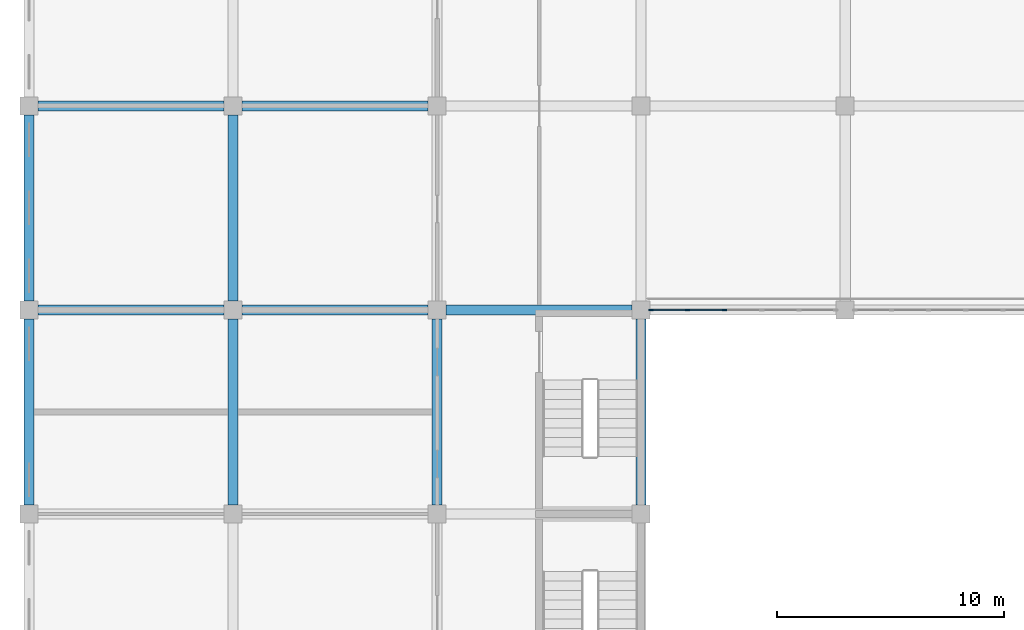
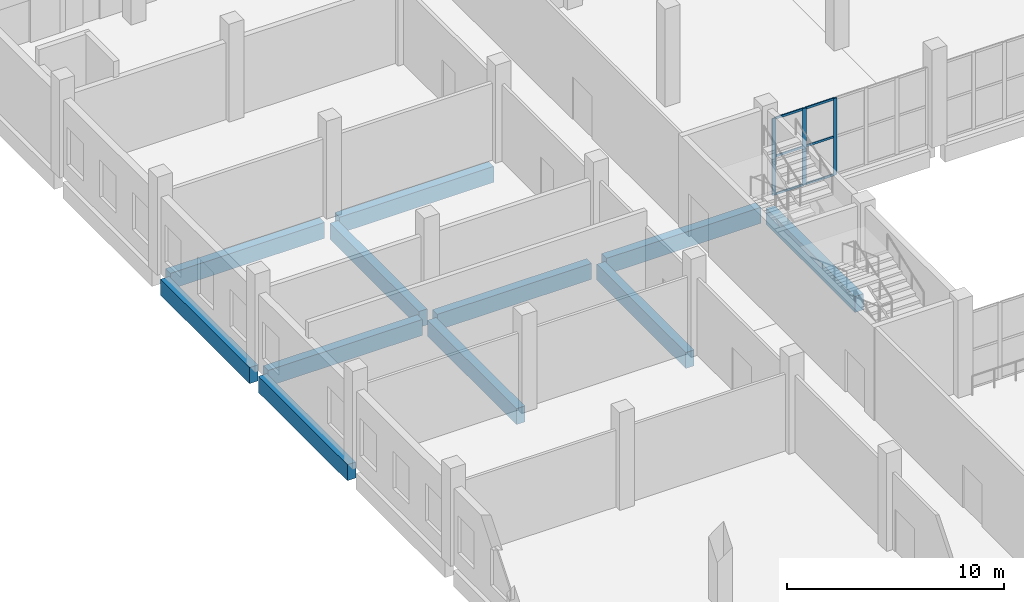
# One storey, part 21 of 185: 11 beams, 9 members, 1 element without a shape of its own.
"""IFC4 building model written with IfcOpenShell, lengths in metres."""

import ifcopenshell
import ifcopenshell.guid

model = None  # the IFC model being written
_history = None  # IfcOwnerHistory: only IFC2X3 demands one
_inside = {}  # id of a spatial element -> (the spatial element, [elements in it])
_under = {}  # id of a project, library or spatial element -> (it, [spatial elements below it])
_declared = {}  # id of a project -> (the project, [libraries it declares])
_typed = {}  # id of a type object -> (the type object, [elements of that type])
_made_of = {}  # id of a material, layer set ... -> (it, [elements and type objects made of it])


def new_model(schema):
    """Start an empty IFC model of exactly this schema.

    Asked for "IFC4X3", IfcOpenShell would pick the latest addendum, in which some entities
    have other attributes; the version numbers below select the first issue.
    IFC2X3 requires an IfcOwnerHistory on every rooted entity: one is made here for all.
    """
    global model, _history
    if schema == "IFC4X3":
        model = ifcopenshell.file(schema_version=(4, 3, 0, 0))
    else:
        model = ifcopenshell.file(schema=schema)
    _inside.clear()
    _under.clear()
    _declared.clear()
    _typed.clear()
    _made_of.clear()
    _history = None
    if model.schema == "IFC2X3":
        org = make("IfcOrganization", Name="unknown")
        user = make(
            "IfcPersonAndOrganization",
            ThePerson=make("IfcPerson", FamilyName="unknown"),
            TheOrganization=org,
        )
        app = make(
            "IfcApplication",
            ApplicationDeveloper=org,
            Version="unknown",
            ApplicationFullName="unknown",
            ApplicationIdentifier="unknown",
        )
        _history = make(
            "IfcOwnerHistory",
            OwningUser=user,
            OwningApplication=app,
            ChangeAction="ADDED",
            CreationDate=0,
        )
    return model


def make(cls, **values):
    """One entity of the class cls with the attributes given. An attribute that is None is left unset."""
    return model.create_entity(
        cls, **{name: value for name, value in values.items() if value is not None}
    )


def rooted(cls, **values):
    """An entity with a GlobalId (a new one), such as an element, a storey or a relation."""
    return make(cls, GlobalId=ifcopenshell.guid.new(), OwnerHistory=_history, **values)


def si_unit(unit_type, name, prefix=None):
    """IfcSIUnit, for example si_unit("LENGTHUNIT", "METRE", prefix="MILLI")."""
    return make("IfcSIUnit", UnitType=unit_type, Prefix=prefix, Name=name)


def assignment(units):
    """IfcUnitAssignment: the units of a project."""
    return None if units is None else make("IfcUnitAssignment", Units=units)


def point(xyz):
    """IfcCartesianPoint."""
    return None if xyz is None else make("IfcCartesianPoint", Coordinates=xyz)


def direction(xyz):
    """IfcDirection."""
    return None if xyz is None else make("IfcDirection", DirectionRatios=xyz)


def frame(location, z_axis=None, x_axis=None):
    """IfcAxis2Placement3D, a coordinate frame: its origin and axes. An axis left out is left unset."""
    return make(
        "IfcAxis2Placement3D",
        Location=point(location),
        Axis=direction(z_axis),
        RefDirection=direction(x_axis),
    )


def frame_2d(location, x_axis=None):
    """IfcAxis2Placement2D, a coordinate frame in the plane: its origin and x axis."""
    return make(
        "IfcAxis2Placement2D", Location=point(location), RefDirection=direction(x_axis)
    )


def origin():
    """The frame at (0, 0, 0) with its axes left unset."""
    return frame((0.0, 0.0, 0.0))


def origin_2d():
    """The frame at (0, 0) in the plane with its x axis left unset."""
    return frame_2d((0.0, 0.0))


def place(relative_to, where):
    """IfcLocalPlacement: puts the frame where relative to a parent placement (None: the world)."""
    return make(
        "IfcLocalPlacement", PlacementRelTo=relative_to, RelativePlacement=where
    )


def context(
    kind, dimensions, precision=None, world=None, true_north=None, identifier=None
):
    """IfcGeometricRepresentationContext, for example the 3D "Model" context."""
    return make(
        "IfcGeometricRepresentationContext",
        ContextIdentifier=identifier,
        ContextType=kind,
        CoordinateSpaceDimension=dimensions,
        Precision=precision,
        WorldCoordinateSystem=world,
        TrueNorth=true_north,
    )


def subcontext(parent, identifier, kind, view, scale=None):
    """IfcGeometricRepresentationSubContext, for example "Body" below "Model"."""
    return make(
        "IfcGeometricRepresentationSubContext",
        ContextIdentifier=identifier,
        ContextType=kind,
        ParentContext=parent,
        TargetScale=scale,
        TargetView=view,
    )


def project(units=None, contexts=None):
    """IfcProject with its units and contexts."""
    return rooted(
        "IfcProject",
        Name="project",
        RepresentationContexts=contexts,
        UnitsInContext=assignment(units),
    )


def spatial(cls, under=None, at=None, **own):
    """A site, building, storey or space (cls), placed at a placement, below another one or the project."""
    s = rooted(cls, ObjectPlacement=at, **own)
    if under is not None:
        _under.setdefault(under.id(), (under, []))[1].append(s)
    return s


def profile(cls, at=None, kind="AREA", **sizes):
    """A parametric profile (cls). Its sizes go by their IFC names, for example OverallWidth=200.0."""
    return make(cls, ProfileType=kind, Position=at, **sizes)


def rectangle(**sizes):
    """IfcRectangleProfileDef."""
    return profile("IfcRectangleProfileDef", **sizes)


def extrude(swept, where, along, depth):
    """IfcExtrudedAreaSolid: the profile swept, set in the frame where, extruded along a direction by depth."""
    return make(
        "IfcExtrudedAreaSolid",
        SweptArea=swept,
        Position=where,
        ExtrudedDirection=direction(along),
        Depth=depth,
    )


def shape(context_of_items, identifier, shape_type, items):
    """IfcShapeRepresentation: the items that make up one representation, for example the "Body"."""
    return make(
        "IfcShapeRepresentation",
        ContextOfItems=context_of_items,
        RepresentationIdentifier=identifier,
        RepresentationType=shape_type,
        Items=items,
    )


def material(Name=None, Category=None):
    """IfcMaterial."""
    return make("IfcMaterial", Name=Name, Category=Category)


def layer(
    of_material, thickness, ventilated=None, Name=None, Category=None, Priority=None
):
    """IfcMaterialLayer: one layer of a wall or slab, of a material (None: an air gap)."""
    return make(
        "IfcMaterialLayer",
        Material=of_material,
        LayerThickness=thickness,
        IsVentilated=ventilated,
        Name=Name,
        Category=Category,
        Priority=Priority,
    )


def layer_set(layers, Name=None):
    """IfcMaterialLayerSet."""
    return make("IfcMaterialLayerSet", MaterialLayers=layers, LayerSetName=Name)


def material_profile(
    of_material, cross_section, Name=None, Category=None, Priority=None
):
    """IfcMaterialProfile: a cross section and its material."""
    return make(
        "IfcMaterialProfile",
        Name=Name,
        Material=of_material,
        Profile=cross_section,
        Priority=Priority,
        Category=Category,
    )


def profile_set(profiles, Name=None, composite=None):
    """IfcMaterialProfileSet."""
    return make(
        "IfcMaterialProfileSet",
        Name=Name,
        MaterialProfiles=profiles,
        CompositeProfile=composite,
    )


def made_of(thing, what):
    """Note that an element or type object is made of a material, layer set ...; save() writes the relation."""
    if what is not None:
        _made_of.setdefault(what.id(), (what, []))[1].append(thing)
    return thing


def type_object(cls, material=None, **own):
    """A type object (cls), such as IfcWallType, which elements share."""
    return made_of(rooted(cls, **own), material)


def element(
    cls,
    number,
    at=None,
    inside=None,
    cuts=None,
    type_object=None,
    material=None,
    context=None,
    identifier="Body",
    shape_type=None,
    held_by="IfcProductDefinitionShape",
    body=None,
    shapes=None,
    **own,
):
    """One element of the class cls, such as IfcWall. Its Tag is "e" and its number.

    at: its placement. inside: the storey or other place that contains it. cuts: it is an
    opening in that element (IfcRelVoidsElement). A single representation is given by context,
    identifier, shape_type and body (its items); several are given by shapes. held_by: the class
    of the entity that holds the representations. save() writes the other relations.
    """
    e = rooted(cls, Tag="e%d" % number, ObjectPlacement=at, **own)
    if body is not None:
        shapes = [shape(context, identifier, shape_type, body)]
    if shapes is not None:
        e.Representation = make(held_by, Representations=shapes)
    if inside is not None:
        _inside.setdefault(inside.id(), (inside, []))[1].append(e)
    if cuts is not None:
        rooted(
            "IfcRelVoidsElement", RelatingBuildingElement=cuts, RelatedOpeningElement=e
        )
    if type_object is not None:
        _typed.setdefault(type_object.id(), (type_object, []))[1].append(e)
    return made_of(e, material)


def aggregate(whole, parts):
    """IfcRelAggregates: a whole, such as a stair, and the parts it consists of."""
    return rooted("IfcRelAggregates", RelatingObject=whole, RelatedObjects=parts)


def save(model, path):
    """Write the relations noted so far, then the file.

    IfcRelAggregates (storeys below a building ...), IfcRelContainedInSpatialStructure (elements
    in a storey), IfcRelDefinesByType, IfcRelAssociatesMaterial and IfcRelDeclares: one each for
    every whole, place, type object, material and project.
    """
    for whole, parts in _under.values():
        aggregate(whole, parts)
    for where, things in _inside.values():
        rooted(
            "IfcRelContainedInSpatialStructure",
            RelatedElements=things,
            RelatingStructure=where,
        )
    for kind, things in _typed.values():
        rooted("IfcRelDefinesByType", RelatedObjects=things, RelatingType=kind)
    for what, things in _made_of.values():
        rooted("IfcRelAssociatesMaterial", RelatedObjects=things, RelatingMaterial=what)
    for by, libraries in _declared.values():
        rooted("IfcRelDeclares", RelatingContext=by, RelatedDefinitions=libraries)
    model.write(path)


model = new_model("IFC4")

# Units and contexts
model_context = context("Model", 3, precision=1e-05, world=origin(), true_north=direction((0.0, 1.0)))
body_context = subcontext(model_context, "Body", "Model", "MODEL_VIEW")
ifc_project = project(units=[si_unit("LENGTHUNIT", "METRE"), si_unit("AREAUNIT", "SQUARE_METRE"), si_unit("VOLUMEUNIT", "CUBIC_METRE"), si_unit("PLANEANGLEUNIT", "RADIAN"), si_unit("MASSUNIT", "GRAM", prefix="KILO")], contexts=[model_context])

# Site, building, storey
site_placement = place(None, origin())
site = spatial("IfcSite", under=ifc_project, at=site_placement, CompositionType="ELEMENT")
building_placement = place(site_placement, origin())
building = spatial("IfcBuilding", under=site, at=building_placement, Name="Opaline Strait Convention Centre", CompositionType="ELEMENT")
storey_placement = place(building_placement, frame((0.0, 0.0, 6.0)))
storey = spatial("IfcBuildingStorey", under=building, at=storey_placement, Name="L01", CompositionType="ELEMENT", Elevation=6.0)

# Curtain wall, members
ifc_material_1 = material(Name="Aluminium framed double glazing", Category="aluminium")
ifc_layer = layer(ifc_material_1, 0.199951171875)
ifc_layer_set = layer_set([ifc_layer], Name="Aluminium framed double glazing")
curtain_wall_type = type_object("IfcCurtainWallType", Name="Curtain wall 1500 module", PredefinedType="NOTDEFINED", material=ifc_layer_set)
curtain_wall_placement = place(storey_placement, origin())
curtain_wall = element("IfcCurtainWall", 1, at=curtain_wall_placement, inside=storey, type_object=curtain_wall_type, Name="L01 court glazing Nc 1", PredefinedType="NOTDEFINED")
ifc_material_2 = material(Name="Aluminium alloy 6063", Category="aluminium")
ifc_material_profile_1 = material_profile(ifc_material_2, rectangle(XDim=0.06005859375, YDim=0.199951171875, at=origin_2d()), Name="Curtain wall mullion 60x200")
ifc_profile_set_1 = profile_set([ifc_material_profile_1], Name="Aluminium alloy 6063")
member_type_1 = type_object("IfcMemberType", Name="Curtain wall mullion 60x200", PredefinedType="MULLION", material=ifc_profile_set_1)
member_1_placement = place(storey_placement, frame((36.429931640625, 63.0, 0.0), z_axis=(0.0, 0.0, 1.0), x_axis=(0.0, 1.0, 0.0)))
member_1 = element("IfcMember", 2, at=member_1_placement, type_object=member_type_1, Name="RCW1 mullion 1", PredefinedType="MULLION", context=body_context, shape_type="SweptSolid", body=[
    extrude(rectangle(XDim=0.06005859375, YDim=0.199951171875, at=origin_2d()), origin(), (0.0, 0.0, 1.0), 4.320068359375),
])
member_2_placement = place(storey_placement, frame((38.0400390625, 63.0, 0.0), z_axis=(0.0, 0.0, 1.0), x_axis=(0.0, 1.0, 0.0)))
member_2 = element("IfcMember", 3, at=member_2_placement, type_object=member_type_1, Name="RCW1 mullion 2", PredefinedType="MULLION", context=body_context, shape_type="SweptSolid", body=[
    extrude(rectangle(XDim=0.06005859375, YDim=0.199951171875, at=origin_2d()), origin(), (0.0, 0.0, 1.0), 4.320068359375),
])
member_3_placement = place(storey_placement, frame((39.679931640625, 63.0, 0.0), z_axis=(0.0, 0.0, 1.0), x_axis=(0.0, 1.0, 0.0)))
member_3 = element("IfcMember", 4, at=member_3_placement, type_object=member_type_1, Name="RCW1 mullion 3", PredefinedType="MULLION", context=body_context, shape_type="SweptSolid", body=[
    extrude(rectangle(XDim=0.06005859375, YDim=0.199951171875, at=origin_2d()), origin(), (0.0, 0.0, 1.0), 4.320068359375),
])
ifc_material_profile_2 = material_profile(ifc_material_2, rectangle(XDim=0.06005859375, YDim=0.1201171875, at=origin_2d()), Name="Curtain wall transom 60x120")
ifc_profile_set_2 = profile_set([ifc_material_profile_2], Name="Aluminium alloy 6063")
member_type_2 = type_object("IfcMemberType", Name="Curtain wall transom 60x120", PredefinedType="USERDEFINED", material=ifc_profile_set_2)
member_4_placement = place(storey_placement, frame((36.4599609375, 63.0, 0.030029296875), z_axis=(1.0, 0.0, 0.0), x_axis=(0.0, 1.0, 0.0)))
member_4 = element("IfcMember", 5, at=member_4_placement, type_object=member_type_2, Name="RCW1 transom 1.1", ObjectType="TRANSOM", PredefinedType="USERDEFINED", context=body_context, shape_type="SweptSolid", body=[
    extrude(rectangle(XDim=0.06005859375, YDim=0.1201171875, at=origin_2d()), origin(), (0.0, 0.0, 1.0), 1.550048828125),
])
member_5_placement = place(storey_placement, frame((36.4599609375, 63.0, 2.159912109375), z_axis=(1.0, 0.0, 0.0), x_axis=(0.0, 1.0, 0.0)))
member_5 = element("IfcMember", 6, at=member_5_placement, type_object=member_type_2, Name="RCW1 transom 1.2", ObjectType="TRANSOM", PredefinedType="USERDEFINED", context=body_context, shape_type="SweptSolid", body=[
    extrude(rectangle(XDim=0.06005859375, YDim=0.1201171875, at=origin_2d()), origin(), (0.0, 0.0, 1.0), 1.550048828125),
])
member_6_placement = place(storey_placement, frame((36.4599609375, 63.0, 4.2900390625), z_axis=(1.0, 0.0, 0.0), x_axis=(0.0, 1.0, 0.0)))
member_6 = element("IfcMember", 7, at=member_6_placement, type_object=member_type_2, Name="RCW1 transom 1.3", ObjectType="TRANSOM", PredefinedType="USERDEFINED", context=body_context, shape_type="SweptSolid", body=[
    extrude(rectangle(XDim=0.06005859375, YDim=0.1201171875, at=origin_2d()), origin(), (0.0, 0.0, 1.0), 1.550048828125),
])
member_7_placement = place(storey_placement, frame((38.06982421875, 63.0, 0.030029296875), z_axis=(1.0, 0.0, 0.0), x_axis=(0.0, 1.0, 0.0)))
member_7 = element("IfcMember", 8, at=member_7_placement, type_object=member_type_2, Name="RCW1 transom 2.1", ObjectType="TRANSOM", PredefinedType="USERDEFINED", context=body_context, shape_type="SweptSolid", body=[
    extrude(rectangle(XDim=0.06005859375, YDim=0.1201171875, at=origin_2d()), origin(), (0.0, 0.0, 1.0), 1.580078125),
])
member_8_placement = place(storey_placement, frame((38.06982421875, 63.0, 2.159912109375), z_axis=(1.0, 0.0, 0.0), x_axis=(0.0, 1.0, 0.0)))
member_8 = element("IfcMember", 9, at=member_8_placement, type_object=member_type_2, Name="RCW1 transom 2.2", ObjectType="TRANSOM", PredefinedType="USERDEFINED", context=body_context, shape_type="SweptSolid", body=[
    extrude(rectangle(XDim=0.06005859375, YDim=0.1201171875, at=origin_2d()), origin(), (0.0, 0.0, 1.0), 1.580078125),
])
member_9_placement = place(storey_placement, frame((38.06982421875, 63.0, 4.2900390625), z_axis=(1.0, 0.0, 0.0), x_axis=(0.0, 1.0, 0.0)))
member_9 = element("IfcMember", 10, at=member_9_placement, type_object=member_type_2, Name="RCW1 transom 2.3", ObjectType="TRANSOM", PredefinedType="USERDEFINED", context=body_context, shape_type="SweptSolid", body=[
    extrude(rectangle(XDim=0.06005859375, YDim=0.1201171875, at=origin_2d()), origin(), (0.0, 0.0, 1.0), 1.580078125),
])
aggregate(curtain_wall, [member_1, member_2, member_3, member_4, member_5, member_6, member_7, member_8, member_9])

# Beams
ifc_material_3 = material(Name="Concrete C35", Category="concrete")
ifc_material_profile_3 = material_profile(ifc_material_3, rectangle(XDim=0.449951171875, YDim=0.89990234375, at=origin_2d()), Name="RC 450x900")
ifc_profile_set_3 = profile_set([ifc_material_profile_3], Name="Concrete C35")
beam_type = type_object("IfcBeamType", Name="RC beam 450x900 C35", PredefinedType="BEAM", material=ifc_profile_set_3)
for number, where, z_axis, x_axis, name in (
    (11, (9.39990234375, 63.0, -0.72998046875), (1.0, 0.0, 0.0), (0.0, 1.0, 0.0), "XB1 L01 9/63-18/63"),
    (12, (18.39990234375, 63.0, -0.72998046875), (1.0, 0.0, 0.0), (0.0, 1.0, 0.0), "XB1 L01 18/63-27/63"),
    (13, (27.39990234375, 63.0, -0.72998046875), (1.0, 0.0, 0.0), (0.0, 1.0, 0.0), "XB1 L01 27/63-36/63"),
    (14, (9.39990234375, 72.0, -0.72998046875), (1.0, 0.0, 0.0), (0.0, 1.0, 0.0), "XB1 L01 9/72-18/72"),
    (15, (18.39990234375, 72.0, -0.72998046875), (1.0, 0.0, 0.0), (0.0, 1.0, 0.0), "XB1 L01 18/72-27/72"),
    (16, (9.0, 54.39990234375, -0.72998046875), (0.0, 1.0, 0.0), (-1.0, 0.0, 0.0), "XB1 L01 9/54-9/63"),
    (17, (9.0, 63.39990234375, -0.72998046875), (0.0, 1.0, 0.0), (-1.0, 0.0, 0.0), "XB1 L01 9/63-9/72"),
    (18, (18.0, 54.39990234375, -0.72998046875), (0.0, 1.0, 0.0), (-1.0, 0.0, 0.0), "XB1 L01 18/54-18/63"),
    (19, (18.0, 63.39990234375, -0.72998046875), (0.0, 1.0, 0.0), (-1.0, 0.0, 0.0), "XB1 L01 18/63-18/72"),
    (20, (27.0, 54.39990234375, -0.72998046875), (0.0, 1.0, 0.0), (-1.0, 0.0, 0.0), "XB1 L01 27/54-27/63"),
    (21, (36.0, 54.39990234375, -0.72998046875), (0.0, 1.0, 0.0), (-1.0, 0.0, 0.0), "XB1 L01 36/54-36/63"),
):
    element("IfcBeam", number, at=place(storey_placement, frame(where, z_axis=z_axis, x_axis=x_axis)), inside=storey, type_object=beam_type, Name=name, PredefinedType="BEAM", context=body_context, shape_type="SweptSolid", body=[
        extrude(rectangle(XDim=0.449951171875, YDim=0.89990234375, at=origin_2d()), origin(), (0.0, 0.0, 1.0), 8.2001953125),
    ])

save(model, "model.ifc")
